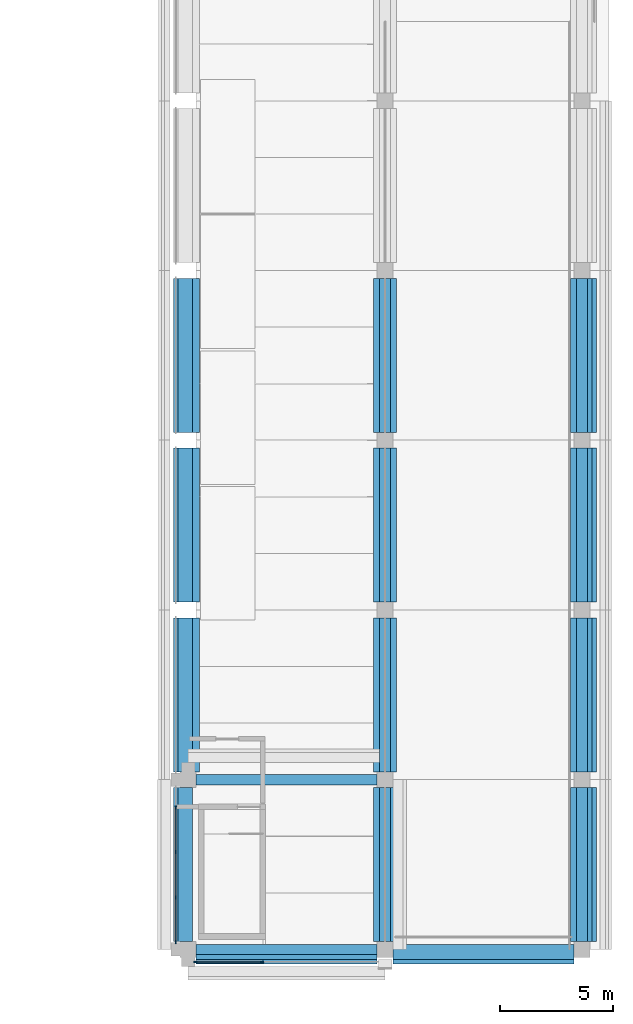
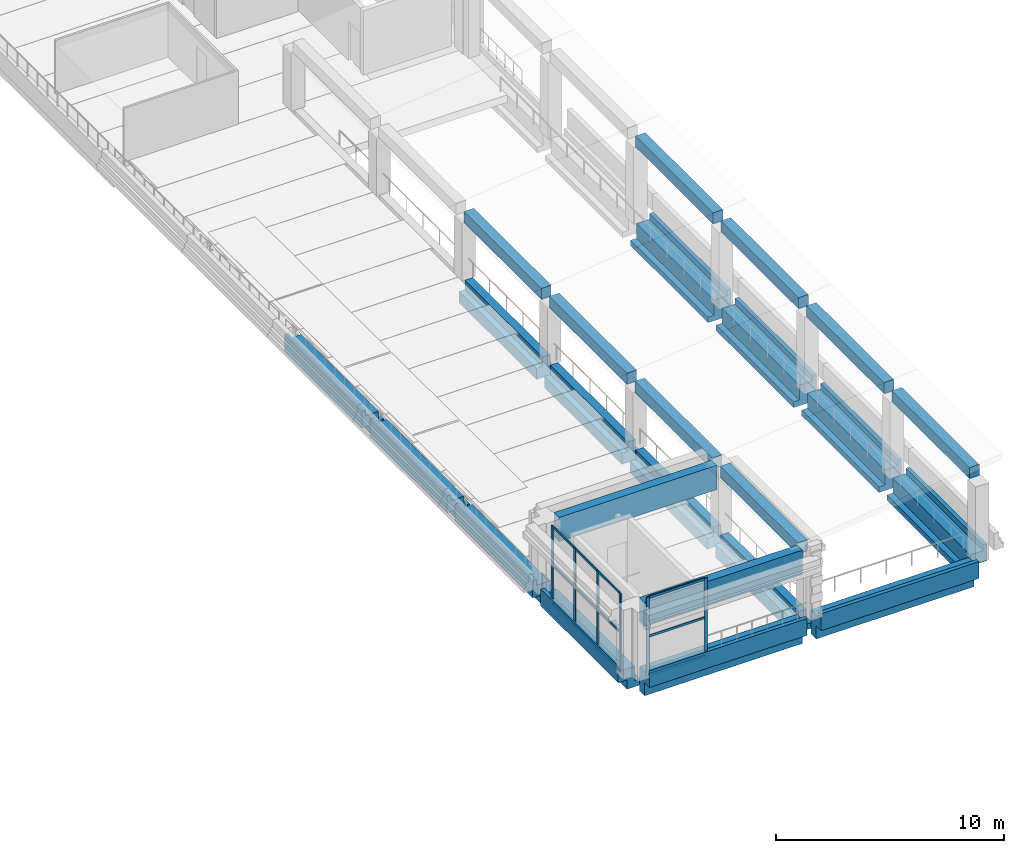
# One storey, part 4 of 17: 24 beams, 18 members, 2 elements without a shape of their own.
"""IFC4 building model written with IfcOpenShell, lengths in metres."""

from ifc_helpers import new_model, si_unit, direction, frame, origin, origin_2d, place, context, subcontext, project, spatial, polyline, rectangle, outline, extrude, material, layer, layer_set, material_profile, profile_set, type_object, element, aggregate, save


model = new_model("IFC4")

# Units and contexts
model_context = context("Model", 3, precision=1e-05, world=origin(), true_north=direction((0.0, 1.0)))
body_context = subcontext(model_context, "Body", "Model", "MODEL_VIEW")
ifc_project = project(units=[si_unit("LENGTHUNIT", "METRE"), si_unit("AREAUNIT", "SQUARE_METRE"), si_unit("VOLUMEUNIT", "CUBIC_METRE"), si_unit("PLANEANGLEUNIT", "RADIAN"), si_unit("MASSUNIT", "GRAM", prefix="KILO")], contexts=[model_context])

# Site, building, storey
site_placement = place(None, origin())
site = spatial("IfcSite", under=ifc_project, at=site_placement, CompositionType="ELEMENT")
building_placement = place(site_placement, origin())
building = spatial("IfcBuilding", under=site, at=building_placement, Name="Cour d'Honneur Mobility Palace", CompositionType="ELEMENT")
storey_placement = place(building_placement, frame((0.0, 0.0, 34.10009765625)))
storey = spatial("IfcBuildingStorey", under=building, at=storey_placement, Name="L09", CompositionType="ELEMENT", Elevation=34.10009765625)

# Curtain wall, members
ifc_material_1 = material(Name="Aluminium and glass", Category="aluminium")
ifc_layer = layer(ifc_material_1, 0.10009765625)
ifc_layer_set = layer_set([ifc_layer], Name="Aluminium and glass")
curtain_wall_type = type_object("IfcCurtainWallType", Name="Curtain wall run", PredefinedType="NOTDEFINED", material=ifc_layer_set)
curtain_wall_1_placement = place(storey_placement, origin())
curtain_wall_1 = element("IfcCurtainWall", 1, at=curtain_wall_1_placement, inside=storey, type_object=curtain_wall_type, Name="Curtain wall CW-151", PredefinedType="NOTDEFINED")
ifc_material_2 = material(Name="Aluminium", Category="aluminium")
ifc_material_profile_1 = material_profile(ifc_material_2, rectangle(XDim=0.06005859375, YDim=0.159912109375, at=origin_2d()), Name="Curtain wall mullion")
ifc_profile_set_1 = profile_set([ifc_material_profile_1], Name="Aluminium")
member_type_1 = type_object("IfcMemberType", Name="Curtain wall mullion", PredefinedType="MULLION", material=ifc_profile_set_1)
member_1_placement = place(storey_placement, frame((144.35009765625, 6.27001953125, 0.0), z_axis=(0.0, 0.0, 1.0), x_axis=(1.0, 0.0, 0.0)))
member_1 = element("IfcMember", 2, at=member_1_placement, type_object=member_type_1, Name="CW-151 mullion 1", PredefinedType="MULLION", context=body_context, shape_type="SweptSolid", body=[
    extrude(rectangle(XDim=0.06005859375, YDim=0.159912109375, at=origin_2d()), origin(), (0.0, 0.0, 1.0), 4.199951171875),
])
member_2_placement = place(storey_placement, frame((144.35009765625, 4.300048828125, 0.0), z_axis=(0.0, 0.0, 1.0), x_axis=(1.0, 0.0, 0.0)))
member_2 = element("IfcMember", 3, at=member_2_placement, type_object=member_type_1, Name="CW-151 mullion 2", PredefinedType="MULLION", context=body_context, shape_type="SweptSolid", body=[
    extrude(rectangle(XDim=0.06005859375, YDim=0.159912109375, at=origin_2d()), origin(), (0.0, 0.0, 1.0), 4.199951171875),
])
member_3_placement = place(storey_placement, frame((144.35009765625, 2.300048828125, 0.0), z_axis=(0.0, 0.0, 1.0), x_axis=(1.0, 0.0, 0.0)))
member_3 = element("IfcMember", 4, at=member_3_placement, type_object=member_type_1, Name="CW-151 mullion 3", PredefinedType="MULLION", context=body_context, shape_type="SweptSolid", body=[
    extrude(rectangle(XDim=0.06005859375, YDim=0.159912109375, at=origin_2d()), origin(), (0.0, 0.0, 1.0), 4.199951171875),
])
member_4_placement = place(storey_placement, frame((144.35009765625, 0.330078125, 0.0), z_axis=(0.0, 0.0, 1.0), x_axis=(1.0, 0.0, 0.0)))
member_4 = element("IfcMember", 5, at=member_4_placement, type_object=member_type_1, Name="CW-151 mullion 4", PredefinedType="MULLION", context=body_context, shape_type="SweptSolid", body=[
    extrude(rectangle(XDim=0.06005859375, YDim=0.159912109375, at=origin_2d()), origin(), (0.0, 0.0, 1.0), 4.199951171875),
])

curtain_wall_2_placement = place(storey_placement, origin())
curtain_wall_2 = element("IfcCurtainWall", 6, at=curtain_wall_2_placement, inside=storey, type_object=curtain_wall_type, Name="Curtain wall CW-152", PredefinedType="NOTDEFINED")
member_5_placement = place(storey_placement, frame((145.22998046875, -0.550048828125, 0.0), z_axis=(0.0, 0.0, 1.0), x_axis=(0.0, 1.0, 0.0)))
member_5 = element("IfcMember", 7, at=member_5_placement, type_object=member_type_1, Name="CW-152 mullion 1", PredefinedType="MULLION", context=body_context, shape_type="SweptSolid", body=[
    extrude(rectangle(XDim=0.06005859375, YDim=0.159912109375, at=origin_2d()), origin(), (0.0, 0.0, 1.0), 4.199951171875),
])
member_6_placement = place(storey_placement, frame((148.169921875, -0.550048828125, 0.0), z_axis=(0.0, 0.0, 1.0), x_axis=(0.0, 1.0, 0.0)))
member_6 = element("IfcMember", 8, at=member_6_placement, type_object=member_type_1, Name="CW-152 mullion 2", PredefinedType="MULLION", context=body_context, shape_type="SweptSolid", body=[
    extrude(rectangle(XDim=0.06005859375, YDim=0.159912109375, at=origin_2d()), origin(), (0.0, 0.0, 1.0), 4.199951171875),
])

# Member
ifc_material_3 = material(Name="Aluminium", Category="aluminium")
ifc_material_profile_2 = material_profile(ifc_material_3, rectangle(XDim=0.06005859375, YDim=0.1201171875, at=origin_2d()), Name="Curtain wall transom")
ifc_profile_set_2 = profile_set([ifc_material_profile_2], Name="Aluminium")
member_type_2 = type_object("IfcMemberType", Name="Curtain wall transom", PredefinedType="USERDEFINED", material=ifc_profile_set_2)
member_7_placement = place(storey_placement, frame((144.35009765625, 6.239990234375, 0.02978515625), z_axis=(0.0, -1.0, 0.0), x_axis=(1.0, 0.0, 0.0)))
member_7 = element("IfcMember", 9, at=member_7_placement, type_object=member_type_2, Name="CW-151 transom 1.1", ObjectType="TRANSOM", PredefinedType="USERDEFINED", context=body_context, shape_type="SweptSolid", body=[
    extrude(rectangle(XDim=0.06005859375, YDim=0.1201171875, at=origin_2d()), origin(), (0.0, 0.0, 1.0), 1.909912109375),
])

member_8_placement = place(storey_placement, frame((144.35009765625, 6.239990234375, 2.099853515625), z_axis=(0.0, -1.0, 0.0), x_axis=(1.0, 0.0, 0.0)))
member_8 = element("IfcMember", 10, at=member_8_placement, type_object=member_type_2, Name="CW-151 transom 1.2", ObjectType="TRANSOM", PredefinedType="USERDEFINED", context=body_context, shape_type="SweptSolid", body=[
    extrude(rectangle(XDim=0.06005859375, YDim=0.1201171875, at=origin_2d()), origin(), (0.0, 0.0, 1.0), 1.909912109375),
])

member_9_placement = place(storey_placement, frame((144.35009765625, 6.239990234375, 4.169921875), z_axis=(0.0, -1.0, 0.0), x_axis=(1.0, 0.0, 0.0)))
member_9 = element("IfcMember", 11, at=member_9_placement, type_object=member_type_2, Name="CW-151 transom 1.3", ObjectType="TRANSOM", PredefinedType="USERDEFINED", context=body_context, shape_type="SweptSolid", body=[
    extrude(rectangle(XDim=0.06005859375, YDim=0.1201171875, at=origin_2d()), origin(), (0.0, 0.0, 1.0), 1.909912109375),
])

member_10_placement = place(storey_placement, frame((144.35009765625, 4.27001953125, 0.02978515625), z_axis=(0.0, -1.0, 0.0), x_axis=(1.0, 0.0, 0.0)))
member_10 = element("IfcMember", 12, at=member_10_placement, type_object=member_type_2, Name="CW-151 transom 2.1", ObjectType="TRANSOM", PredefinedType="USERDEFINED", context=body_context, shape_type="SweptSolid", body=[
    extrude(rectangle(XDim=0.06005859375, YDim=0.1201171875, at=origin_2d()), origin(), (0.0, 0.0, 1.0), 1.93994140625),
])

member_11_placement = place(storey_placement, frame((144.35009765625, 4.27001953125, 2.099853515625), z_axis=(0.0, -1.0, 0.0), x_axis=(1.0, 0.0, 0.0)))
member_11 = element("IfcMember", 13, at=member_11_placement, type_object=member_type_2, Name="CW-151 transom 2.2", ObjectType="TRANSOM", PredefinedType="USERDEFINED", context=body_context, shape_type="SweptSolid", body=[
    extrude(rectangle(XDim=0.06005859375, YDim=0.1201171875, at=origin_2d()), origin(), (0.0, 0.0, 1.0), 1.93994140625),
])

member_12_placement = place(storey_placement, frame((144.35009765625, 4.27001953125, 4.169921875), z_axis=(0.0, -1.0, 0.0), x_axis=(1.0, 0.0, 0.0)))
member_12 = element("IfcMember", 14, at=member_12_placement, type_object=member_type_2, Name="CW-151 transom 2.3", ObjectType="TRANSOM", PredefinedType="USERDEFINED", context=body_context, shape_type="SweptSolid", body=[
    extrude(rectangle(XDim=0.06005859375, YDim=0.1201171875, at=origin_2d()), origin(), (0.0, 0.0, 1.0), 1.93994140625),
])

member_13_placement = place(storey_placement, frame((144.35009765625, 2.27001953125, 0.02978515625), z_axis=(0.0, -1.0, 0.0), x_axis=(1.0, 0.0, 0.0)))
member_13 = element("IfcMember", 15, at=member_13_placement, type_object=member_type_2, Name="CW-151 transom 3.1", ObjectType="TRANSOM", PredefinedType="USERDEFINED", context=body_context, shape_type="SweptSolid", body=[
    extrude(rectangle(XDim=0.06005859375, YDim=0.1201171875, at=origin_2d()), origin(), (0.0, 0.0, 1.0), 1.909912109375),
])

member_14_placement = place(storey_placement, frame((144.35009765625, 2.27001953125, 2.099853515625), z_axis=(0.0, -1.0, 0.0), x_axis=(1.0, 0.0, 0.0)))
member_14 = element("IfcMember", 16, at=member_14_placement, type_object=member_type_2, Name="CW-151 transom 3.2", ObjectType="TRANSOM", PredefinedType="USERDEFINED", context=body_context, shape_type="SweptSolid", body=[
    extrude(rectangle(XDim=0.06005859375, YDim=0.1201171875, at=origin_2d()), origin(), (0.0, 0.0, 1.0), 1.909912109375),
])

member_15_placement = place(storey_placement, frame((144.35009765625, 2.27001953125, 4.169921875), z_axis=(0.0, -1.0, 0.0), x_axis=(1.0, 0.0, 0.0)))
member_15 = element("IfcMember", 17, at=member_15_placement, type_object=member_type_2, Name="CW-151 transom 3.3", ObjectType="TRANSOM", PredefinedType="USERDEFINED", context=body_context, shape_type="SweptSolid", body=[
    extrude(rectangle(XDim=0.06005859375, YDim=0.1201171875, at=origin_2d()), origin(), (0.0, 0.0, 1.0), 1.909912109375),
])

aggregate(curtain_wall_1, [member_1, member_2, member_3, member_4, member_7, member_8, member_9, member_10, member_11, member_12, member_13, member_14, member_15])

member_16_placement = place(storey_placement, frame((145.260009765625, -0.550048828125, 0.02978515625), z_axis=(1.0, 0.0, 0.0), x_axis=(0.0, 1.0, 0.0)))
member_16 = element("IfcMember", 18, at=member_16_placement, type_object=member_type_2, Name="CW-152 transom 1.1", ObjectType="TRANSOM", PredefinedType="USERDEFINED", context=body_context, shape_type="SweptSolid", body=[
    extrude(rectangle(XDim=0.06005859375, YDim=0.1201171875, at=origin_2d()), origin(), (0.0, 0.0, 1.0), 2.8798828125),
])

member_17_placement = place(storey_placement, frame((145.260009765625, -0.550048828125, 2.099853515625), z_axis=(1.0, 0.0, 0.0), x_axis=(0.0, 1.0, 0.0)))
member_17 = element("IfcMember", 19, at=member_17_placement, type_object=member_type_2, Name="CW-152 transom 1.2", ObjectType="TRANSOM", PredefinedType="USERDEFINED", context=body_context, shape_type="SweptSolid", body=[
    extrude(rectangle(XDim=0.06005859375, YDim=0.1201171875, at=origin_2d()), origin(), (0.0, 0.0, 1.0), 2.8798828125),
])

member_18_placement = place(storey_placement, frame((145.260009765625, -0.550048828125, 4.169921875), z_axis=(1.0, 0.0, 0.0), x_axis=(0.0, 1.0, 0.0)))
member_18 = element("IfcMember", 20, at=member_18_placement, type_object=member_type_2, Name="CW-152 transom 1.3", ObjectType="TRANSOM", PredefinedType="USERDEFINED", context=body_context, shape_type="SweptSolid", body=[
    extrude(rectangle(XDim=0.06005859375, YDim=0.1201171875, at=origin_2d()), origin(), (0.0, 0.0, 1.0), 2.8798828125),
])

aggregate(curtain_wall_2, [member_5, member_6, member_16, member_17, member_18])

# Beams
ifc_material_4 = material(Name="Concrete C45", Category="concrete")
ifc_material_profile_3 = material_profile(ifc_material_4, outline(polyline([(0.22509765625, -1.300048828125), (0.22509765625, 0.0), (-0.22509765625, 0.0), (-0.449951171875, 0.0), (-0.449951171875, 0.300048828125), (-0.64990234375, 0.300048828125), (-0.64990234375, -0.60009765625), (-0.22509765625, -0.60009765625), (-0.22509765625, -1.300048828125), (0.22509765625, -1.300048828125)])), Name="Edge Spandrel Beam 450x1300 no ledge facade right")
ifc_profile_set_3 = profile_set([ifc_material_profile_3], Name="Concrete C45")
beam_type_1 = type_object("IfcBeamType", Name="Edge Spandrel Beam 450x1300 no ledge facade right", PredefinedType="SPANDREL", material=ifc_profile_set_3)
for number, where, z_axis, x_axis, name in (
    (21, (145.25, 0.0, 0.0), (1.0, 0.0, 0.0), (0.0, 1.0, 0.0), "Precast beam B1 19-19A L09"),
    (22, (153.949951171875, 0.0, 0.0), (1.0, 0.0, 0.0), (0.0, 1.0, 0.0), "Precast beam B1 19A-20 L09"),
):
    element("IfcBeam", number, at=place(storey_placement, frame(where, z_axis=z_axis, x_axis=x_axis)), inside=storey, type_object=beam_type_1, Name=name, PredefinedType="SPANDREL", context=body_context, shape_type="SweptSolid", body=[
        extrude(outline(polyline([(0.22509765625, -1.300048828125), (0.22509765625, 0.0), (-0.22509765625, 0.0), (-0.449951171875, 0.0), (-0.449951171875, 0.300048828125), (-0.64990234375, 0.300048828125), (-0.64990234375, -0.60009765625), (-0.22509765625, -0.60009765625), (-0.22509765625, -1.300048828125), (0.22509765625, -1.300048828125)])), origin(), (0.0, 0.0, 1.0), 8.0),
    ])
ifc_material_5 = material(Name="Concrete C45", Category="concrete")
ifc_material_profile_4 = material_profile(ifc_material_5, outline(polyline([(0.22509765625, -1.300048828125), (0.22509765625, 0.0), (-0.22509765625, 0.0), (-0.22509765625, -1.300048828125), (0.22509765625, -1.300048828125)])), Name="Edge Spandrel Beam 450x1300 no ledge plain")
ifc_profile_set_4 = profile_set([ifc_material_profile_4], Name="Concrete C45")
beam_type_2 = type_object("IfcBeamType", Name="Edge Spandrel Beam 450x1300 no ledge plain", PredefinedType="SPANDREL", material=ifc_profile_set_4)
for number, where, z_axis, x_axis, name in (
    (23, (145.25, 0.0, 3.699951171875), (1.0, 0.0, 0.0), (0.0, 1.0, 0.0), "Precast beam B25 19-19A ROOF"),
    (24, (145.25, 7.5, 3.699951171875), (1.0, 0.0, 0.0), (0.0, 1.0, 0.0), "Precast beam B25 19-19A ROOF"),
):
    element("IfcBeam", number, at=place(storey_placement, frame(where, z_axis=z_axis, x_axis=x_axis)), inside=storey, type_object=beam_type_2, Name=name, PredefinedType="SPANDREL", context=body_context, shape_type="SweptSolid", body=[
        extrude(outline(polyline([(0.22509765625, -1.300048828125), (0.22509765625, 0.0), (-0.22509765625, 0.0), (-0.22509765625, -1.300048828125), (0.22509765625, -1.300048828125)])), origin(), (0.0, 0.0, 1.0), 8.0),
    ])
ifc_material_6 = material(Name="Concrete C45", Category="concrete")
ifc_material_profile_5 = material_profile(ifc_material_6, outline(polyline([(0.5, -1.10009765625), (0.5, -0.5), (0.199951171875, -0.5), (0.199951171875, 0.0), (-0.199951171875, 0.0), (-0.199951171875, -0.800048828125), (-0.5, -0.800048828125), (-0.5, -1.10009765625), (0.5, -1.10009765625)])), Name="Inverted Tee Beam 400x1100 ledges 600/300 plain")
ifc_profile_set_5 = profile_set([ifc_material_profile_5], Name="Concrete C45")
beam_type_3 = type_object("IfcBeamType", Name="Inverted Tee Beam 400x1100 ledges 600/300 plain", PredefinedType="T_BEAM", material=ifc_profile_set_5)
for number, where, z_axis, x_axis, name in (
    (25, (153.60009765625, 7.85009765625, 0.0), (0.0, 1.0, 0.0), (-1.0, 0.0, 0.0), "Precast beam B19 B-C L09"),
    (26, (153.60009765625, 15.35009765625, 0.0), (0.0, 1.0, 0.0), (-1.0, 0.0, 0.0), "Precast beam B19 C-D L09"),
    (27, (153.60009765625, 22.85009765625, 0.0), (0.0, 1.0, 0.0), (-1.0, 0.0, 0.0), "Precast beam B19 D-E L09"),
):
    element("IfcBeam", number, at=place(storey_placement, frame(where, z_axis=z_axis, x_axis=x_axis)), inside=storey, type_object=beam_type_3, Name=name, PredefinedType="T_BEAM", context=body_context, shape_type="SweptSolid", body=[
        extrude(outline(polyline([(0.5, -1.10009765625), (0.5, -0.5), (0.199951171875, -0.5), (0.199951171875, 0.0), (-0.199951171875, 0.0), (-0.199951171875, -0.800048828125), (-0.5, -0.800048828125), (-0.5, -1.10009765625), (0.5, -1.10009765625)])), origin(), (0.0, 0.0, 1.0), 6.7998046875),
    ])
ifc_material_7 = material(Name="Concrete C45", Category="concrete")
ifc_material_profile_6 = material_profile(ifc_material_7, outline(polyline([(0.5, -1.10009765625), (0.5, -0.39990234375), (0.199951171875, -0.39990234375), (0.199951171875, 0.0), (-0.199951171875, 0.0), (-0.199951171875, -0.800048828125), (-0.5, -0.800048828125), (-0.5, -1.10009765625), (0.5, -1.10009765625)])), Name="Inverted Tee Beam 400x1100 ledges 700/300 plain")
ifc_profile_set_6 = profile_set([ifc_material_profile_6], Name="Concrete C45")
beam_type_4 = type_object("IfcBeamType", Name="Inverted Tee Beam 400x1100 ledges 700/300 plain", PredefinedType="T_BEAM", material=ifc_profile_set_6)
beam_1_placement = place(storey_placement, frame((153.60009765625, 0.35009765625, 0.0), z_axis=(0.0, 1.0, 0.0), x_axis=(-1.0, 0.0, 0.0)))
element("IfcBeam", 28, at=beam_1_placement, inside=storey, type_object=beam_type_4, Name="Precast beam B18 A-B L09", PredefinedType="T_BEAM", context=body_context, shape_type="SweptSolid", body=[
    extrude(outline(polyline([(0.5, -1.10009765625), (0.5, -0.39990234375), (0.199951171875, -0.39990234375), (0.199951171875, 0.0), (-0.199951171875, 0.0), (-0.199951171875, -0.800048828125), (-0.5, -0.800048828125), (-0.5, -1.10009765625), (0.5, -1.10009765625)])), origin(), (0.0, 0.0, 1.0), 6.7998046875),
])
ifc_material_8 = material(Name="Concrete C45", Category="concrete")
ifc_material_profile_7 = material_profile(ifc_material_8, outline(polyline([(0.5, -1.10009765625), (0.5, -0.800048828125), (0.199951171875, -0.800048828125), (0.199951171875, 0.0), (-0.199951171875, 0.0), (-0.449951171875, 0.0), (-0.449951171875, 0.300048828125), (-0.64990234375, 0.300048828125), (-0.64990234375, -0.60009765625), (-0.199951171875, -0.60009765625), (-0.199951171875, -1.10009765625), (0.5, -1.10009765625)])), Name="Ledger Beam 400x1100 ledge left 300 facade right")
ifc_profile_set_7 = profile_set([ifc_material_profile_7], Name="Concrete C45")
beam_type_5 = type_object("IfcBeamType", Name="Ledger Beam 400x1100 ledge left 300 facade right", PredefinedType="BEAM", material=ifc_profile_set_7)
for number, where, z_axis, x_axis, name in (
    (29, (162.300048828125, 0.35009765625, 0.0), (0.0, 1.0, 0.0), (-1.0, 0.0, 0.0), "Precast beam B3 A-B L09"),
    (30, (162.300048828125, 7.85009765625, 0.0), (0.0, 1.0, 0.0), (-1.0, 0.0, 0.0), "Precast beam B3 B-C L09"),
    (31, (162.300048828125, 15.35009765625, 0.0), (0.0, 1.0, 0.0), (-1.0, 0.0, 0.0), "Precast beam B3 C-D L09"),
    (32, (162.300048828125, 22.85009765625, 0.0), (0.0, 1.0, 0.0), (-1.0, 0.0, 0.0), "Precast beam B3 D-E L09"),
):
    element("IfcBeam", number, at=place(storey_placement, frame(where, z_axis=z_axis, x_axis=x_axis)), inside=storey, type_object=beam_type_5, Name=name, PredefinedType="BEAM", context=body_context, shape_type="SweptSolid", body=[
        extrude(outline(polyline([(0.5, -1.10009765625), (0.5, -0.800048828125), (0.199951171875, -0.800048828125), (0.199951171875, 0.0), (-0.199951171875, 0.0), (-0.449951171875, 0.0), (-0.449951171875, 0.300048828125), (-0.64990234375, 0.300048828125), (-0.64990234375, -0.60009765625), (-0.199951171875, -0.60009765625), (-0.199951171875, -1.10009765625), (0.5, -1.10009765625)])), origin(), (0.0, 0.0, 1.0), 6.7998046875),
    ])
ifc_material_9 = material(Name="Concrete C45", Category="concrete")
ifc_material_profile_8 = material_profile(ifc_material_9, outline(polyline([(0.199951171875, -1.10009765625), (0.199951171875, -0.60009765625), (0.64990234375, -0.60009765625), (0.64990234375, 0.300048828125), (0.449951171875, 0.300048828125), (0.449951171875, 0.0), (0.199951171875, 0.0), (-0.199951171875, 0.0), (-0.199951171875, -0.800048828125), (-0.5, -0.800048828125), (-0.5, -1.10009765625), (0.199951171875, -1.10009765625)])), Name="Ledger Beam 400x1100 ledge right 300 facade left")
ifc_profile_set_8 = profile_set([ifc_material_profile_8], Name="Concrete C45")
beam_type_6 = type_object("IfcBeamType", Name="Ledger Beam 400x1100 ledge right 300 facade left", PredefinedType="BEAM", material=ifc_profile_set_8)
beam_2_placement = place(storey_placement, frame((144.89990234375, 0.35009765625, 0.0), z_axis=(0.0, 1.0, 0.0), x_axis=(-1.0, 0.0, 0.0)))
element("IfcBeam", 33, at=beam_2_placement, inside=storey, type_object=beam_type_6, Name="Precast beam B6 A-B L09", PredefinedType="BEAM", context=body_context, shape_type="SweptSolid", body=[
    extrude(outline(polyline([(0.199951171875, -1.10009765625), (0.199951171875, -0.60009765625), (0.64990234375, -0.60009765625), (0.64990234375, 0.300048828125), (0.449951171875, 0.300048828125), (0.449951171875, 0.0), (0.199951171875, 0.0), (-0.199951171875, 0.0), (-0.199951171875, -0.800048828125), (-0.5, -0.800048828125), (-0.5, -1.10009765625), (0.199951171875, -1.10009765625)])), origin(), (0.0, 0.0, 1.0), 6.7998046875),
])
ifc_material_10 = material(Name="Concrete C45", Category="concrete")
ifc_material_profile_9 = material_profile(ifc_material_10, outline(polyline([(0.199951171875, -1.10009765625), (0.199951171875, -0.60009765625), (0.64990234375, -0.60009765625), (0.64990234375, 0.300048828125), (0.449951171875, 0.300048828125), (0.449951171875, 0.0), (0.199951171875, 0.0), (-0.199951171875, 0.0), (-0.199951171875, -0.5), (-0.5, -0.5), (-0.5, -1.10009765625), (0.199951171875, -1.10009765625)])), Name="Ledger Beam 400x1100 ledge right 600 facade left")
ifc_profile_set_9 = profile_set([ifc_material_profile_9], Name="Concrete C45")
beam_type_7 = type_object("IfcBeamType", Name="Ledger Beam 400x1100 ledge right 600 facade left", PredefinedType="BEAM", material=ifc_profile_set_9)
for number, where, z_axis, x_axis, name in (
    (34, (144.89990234375, 7.85009765625, 0.0), (0.0, 1.0, 0.0), (-1.0, 0.0, 0.0), "Precast beam B15 B-C L09"),
    (35, (144.89990234375, 15.35009765625, 0.0), (0.0, 1.0, 0.0), (-1.0, 0.0, 0.0), "Precast beam B15 C-D L09"),
    (36, (144.89990234375, 22.85009765625, 0.0), (0.0, 1.0, 0.0), (-1.0, 0.0, 0.0), "Precast beam B15 D-E L09"),
):
    element("IfcBeam", number, at=place(storey_placement, frame(where, z_axis=z_axis, x_axis=x_axis)), inside=storey, type_object=beam_type_7, Name=name, PredefinedType="BEAM", context=body_context, shape_type="SweptSolid", body=[
        extrude(outline(polyline([(0.199951171875, -1.10009765625), (0.199951171875, -0.60009765625), (0.64990234375, -0.60009765625), (0.64990234375, 0.300048828125), (0.449951171875, 0.300048828125), (0.449951171875, 0.0), (0.199951171875, 0.0), (-0.199951171875, 0.0), (-0.199951171875, -0.5), (-0.5, -0.5), (-0.5, -1.10009765625), (0.199951171875, -1.10009765625)])), origin(), (0.0, 0.0, 1.0), 6.7998046875),
    ])
ifc_material_11 = material(Name="Concrete C50", Category="concrete")
ifc_material_profile_10 = material_profile(ifc_material_11, rectangle(XDim=0.5, YDim=0.60009765625, at=origin_2d()), Name="Ramp house roof beam 500x600")
ifc_profile_set_10 = profile_set([ifc_material_profile_10], Name="Concrete C50")
beam_type_8 = type_object("IfcBeamType", Name="Ramp house roof beam 500x600", PredefinedType="BEAM", material=ifc_profile_set_10)
for number, where, z_axis, x_axis, name in (
    (37, (162.300048828125, 0.35009765625, 4.39990234375), (0.0, 1.0, 0.0), (-1.0, 0.0, 0.0), "Ramp house roof beam RHB-EO1"),
    (38, (162.300048828125, 7.85009765625, 4.39990234375), (0.0, 1.0, 0.0), (-1.0, 0.0, 0.0), "Ramp house roof beam RHB-EO2"),
    (39, (162.300048828125, 15.35009765625, 4.39990234375), (0.0, 1.0, 0.0), (-1.0, 0.0, 0.0), "Ramp house roof beam RHB-EO3"),
    (40, (162.300048828125, 22.85009765625, 4.39990234375), (0.0, 1.0, 0.0), (-1.0, 0.0, 0.0), "Ramp house roof beam RHB-EO4"),
    (41, (153.60009765625, 0.35009765625, 3.39990234375), (0.0, 1.0, 0.0), (-1.0, 0.0, 0.0), "Ramp house roof beam RHB-EI1"),
    (42, (153.60009765625, 7.85009765625, 3.39990234375), (0.0, 1.0, 0.0), (-1.0, 0.0, 0.0), "Ramp house roof beam RHB-EI2"),
    (43, (153.60009765625, 15.35009765625, 3.39990234375), (0.0, 1.0, 0.0), (-1.0, 0.0, 0.0), "Ramp house roof beam RHB-EI3"),
    (44, (153.60009765625, 22.85009765625, 3.39990234375), (0.0, 1.0, 0.0), (-1.0, 0.0, 0.0), "Ramp house roof beam RHB-EI4"),
):
    element("IfcBeam", number, at=place(storey_placement, frame(where, z_axis=z_axis, x_axis=x_axis)), inside=storey, type_object=beam_type_8, Name=name, PredefinedType="BEAM", context=body_context, shape_type="SweptSolid", body=[
        extrude(rectangle(XDim=0.5, YDim=0.60009765625, at=origin_2d()), origin(), (0.0, 0.0, 1.0), 6.7998046875),
    ])

save(model, "model.ifc")
